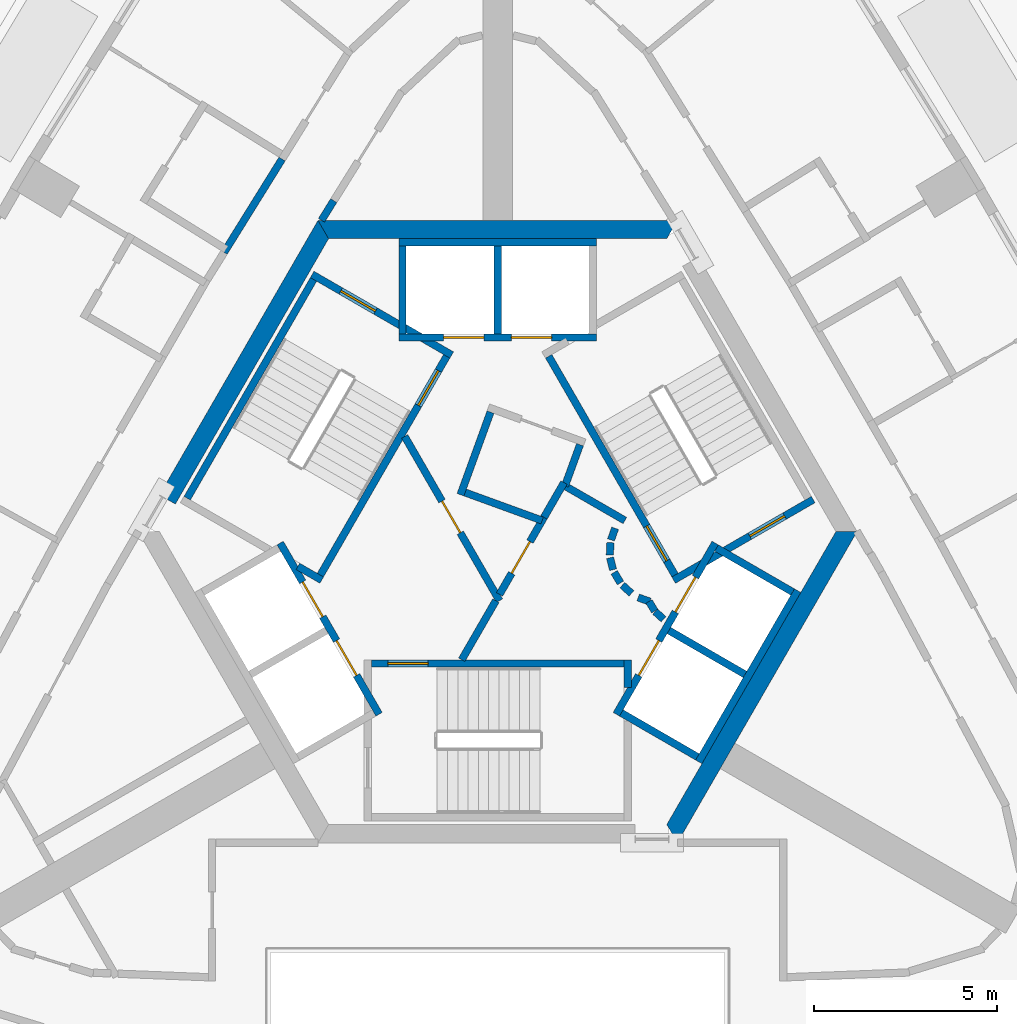
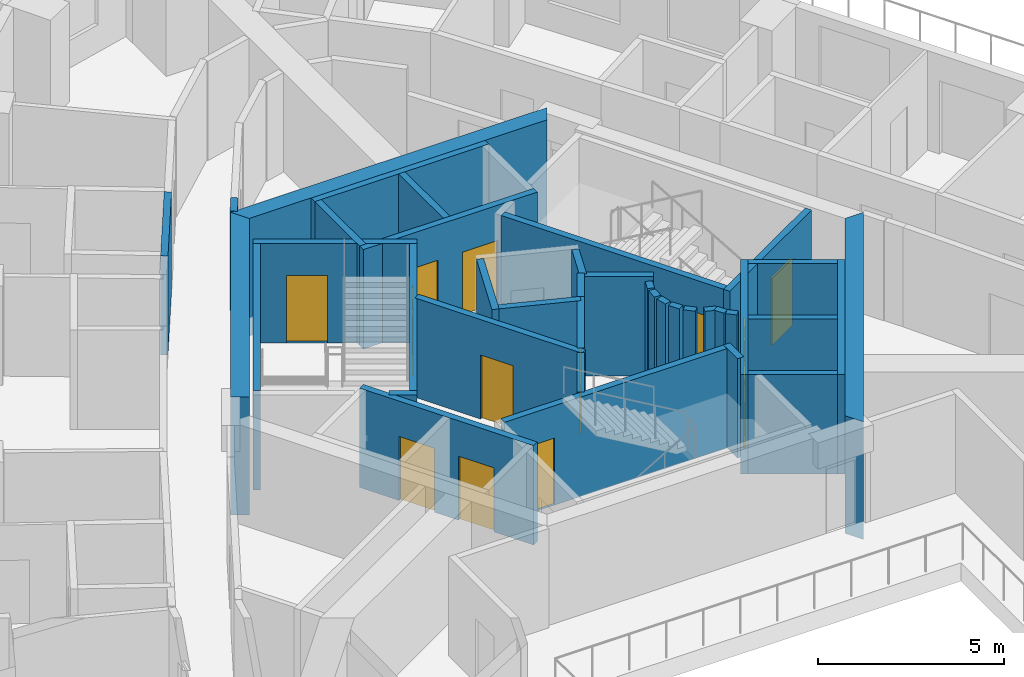
# One storey, part 5 of 12: 39 walls, 13 doors, 13 openings.
"""IFC4 building model written with IfcOpenShell, lengths in metres."""

from ifc_helpers import new_model, si_unit, direction, frame, frame_2d, origin, place, context, subcontext, project, spatial, polyline, rectangle, outline, extrude, material, layer, layer_set, type_object, element, fill, save


model = new_model("IFC4")

# Units and contexts
model_context = context("Model", 3, precision=1e-05, world=origin(), true_north=direction((0.0, 1.0)))
body_context = subcontext(model_context, "Body", "Model", "MODEL_VIEW")
ifc_project = project(units=[si_unit("LENGTHUNIT", "METRE"), si_unit("AREAUNIT", "SQUARE_METRE"), si_unit("VOLUMEUNIT", "CUBIC_METRE"), si_unit("PLANEANGLEUNIT", "RADIAN"), si_unit("MASSUNIT", "GRAM", prefix="KILO")], contexts=[model_context])

# Site, building, storey
site_placement = place(None, origin())
site = spatial("IfcSite", under=ifc_project, at=site_placement, CompositionType="ELEMENT")
building_placement = place(site_placement, origin())
building = spatial("IfcBuilding", under=site, at=building_placement, Name="Entoto Arch Interchange Tower", CompositionType="ELEMENT")
storey_placement = place(building_placement, frame((0.0, 0.0, 286.39990234375)))
storey = spatial("IfcBuildingStorey", under=building, at=storey_placement, Name="L66", CompositionType="ELEMENT", Elevation=286.39990234375)

# Walls
ifc_material_1 = material(Name="Concrete C40/50", Category="concrete")
ifc_layer_1 = layer(ifc_material_1, 0.5)
ifc_layer_set_1 = layer_set([ifc_layer_1], Name="Concrete C40/50")
wall_type_1 = type_object("IfcWallType", Name="Core wall 500 C40/50", PredefinedType="SHEAR", material=ifc_layer_set_1)
wall_1_placement = place(storey_placement, frame((0.0, 0.0, -0.599853515625)))
element("IfcWall", 1, at=wall_1_placement, inside=storey, type_object=wall_type_1, Name="Core wall N L66", PredefinedType="SHEAR", context=body_context, shape_type="SweptSolid", body=[
    extrude(outline(polyline([(4.906982421875, 11.0), (-4.906982421875, 11.0), (-4.618896484375, 10.5), (4.618896484375, 10.5), (4.906982421875, 11.0)])), origin(), (0.0, 0.0, 1.0), 3.85986328125),
])
wall_2_placement = place(storey_placement, frame((0.0, 0.0, -0.599853515625)))
element("IfcWall", 2, at=wall_2_placement, inside=storey, type_object=wall_type_1, Name="Core wall NW L66", PredefinedType="SHEAR", context=body_context, shape_type="SweptSolid", body=[
    extrude(outline(polyline([(-9.236083984375, 3.501953125), (-8.802978515625, 3.2529296875), (-4.618896484375, 10.5), (-4.906982421875, 11.0), (-9.236083984375, 3.501953125)])), origin(), (0.0, 0.0, 1.0), 3.85986328125),
])
wall_3_placement = place(storey_placement, frame((0.0, 0.0, -0.599853515625)))
element("IfcWall", 3, at=wall_3_placement, inside=storey, type_object=wall_type_1, Name="Core wall SE L66", PredefinedType="SHEAR", context=body_context, shape_type="SweptSolid", body=[
    extrude(outline(polyline([(4.906982421875, -6.0), (9.81494140625, 2.5), (9.238037109375, 2.5), (4.618896484375, -5.5), (4.906982421875, -6.0)])), origin(), (0.0, 0.0, 1.0), 3.85986328125),
])

# Wall, openings, doors
ifc_layer_2 = layer(ifc_material_1, 0.199951171875)
ifc_layer_set_2 = layer_set([ifc_layer_2], Name="Concrete C40/50")
wall_type_2 = type_object("IfcWallType", Name="LIFT SHAFT WALL 200", PredefinedType="STANDARD", material=ifc_layer_set_2)
wall_4_placement = place(storey_placement, frame((2.699951171875, 7.800048828125, 0.0), z_axis=(0.0, 0.0, 1.0), x_axis=(-1.0, 0.0, 0.0)))
wall_4 = element("IfcWall", 4, at=wall_4_placement, inside=storey, type_object=wall_type_2, Name="Shaft wall N1 front", PredefinedType="STANDARD", context=body_context, shape_type="SweptSolid", body=[
    extrude(rectangle(XDim=5.39990234375, YDim=0.199951171875, at=frame_2d((2.699951171875, 0.0))), origin(), (0.0, 0.0, 1.0), 3.260009765625),
])
opening_1_placement = place(wall_4_placement, frame((1.22509765625, 0.0, 0.0)))
opening_1 = element("IfcOpeningElement", 5, at=opening_1_placement, cuts=wall_4, Name="Opening LD-HR1-L66", PredefinedType="OPENING", context=body_context, shape_type="SweptSolid", body=[
    extrude(rectangle(XDim=1.10009765625, YDim=2.10009765625, at=frame_2d((0.550048828125, 1.050048828125))), frame((0.0, 0.10986328125, 0.0), z_axis=(0.0, -1.0, 0.0), x_axis=(1.0, 0.0, 0.0)), (0.0, 0.0, 1.0), 0.219970703125),
])
opening_2_placement = place(wall_4_placement, frame((3.074951171875, 0.0, 0.0)))
opening_2 = element("IfcOpeningElement", 6, at=opening_2_placement, cuts=wall_4, Name="Opening LD-HR2-L66", PredefinedType="OPENING", context=body_context, shape_type="SweptSolid", body=[
    extrude(rectangle(XDim=1.10009765625, YDim=2.10009765625, at=frame_2d((0.550048828125, 1.050048828125))), frame((0.0, 0.10986328125, 0.0), z_axis=(0.0, -1.0, 0.0), x_axis=(1.0, 0.0, 0.0)), (0.0, 0.0, 1.0), 0.219970703125),
])
ifc_material_2 = material(Name="Stainless steel 1.4301 panels", Category="steel")
door_type_1 = type_object("IfcDoorType", Name="LIFT LANDING DOOR LD1 1100x2100", OperationType="SLIDING_TO_LEFT", PredefinedType="DOOR", material=ifc_material_2)
door_1_placement = place(opening_1_placement, origin())
door_1 = element("IfcDoor", 7, at=door_1_placement, inside=storey, type_object=door_type_1, Name="Lift landing door HR1 L66", OperationType="SLIDING_TO_LEFT", OverallHeight=2.10009765625, OverallWidth=1.10009765625, PredefinedType="DOOR", context=body_context, shape_type="SweptSolid", body=[
    extrude(rectangle(XDim=1.10009765625, YDim=2.10009765625, at=frame_2d((0.550048828125, 1.050048828125))), frame((0.0, 0.02490234375, 0.0), z_axis=(0.0, -1.0, 0.0), x_axis=(1.0, 0.0, 0.0)), (0.0, 0.0, 1.0), 0.050048828125),
])
fill(opening_1, door_1)
door_2_placement = place(opening_2_placement, origin())
door_2 = element("IfcDoor", 8, at=door_2_placement, inside=storey, type_object=door_type_1, Name="Lift landing door HR2 L66", OperationType="SLIDING_TO_LEFT", OverallHeight=2.10009765625, OverallWidth=1.10009765625, PredefinedType="DOOR", context=body_context, shape_type="SweptSolid", body=[
    extrude(rectangle(XDim=1.10009765625, YDim=2.10009765625, at=frame_2d((0.550048828125, 1.050048828125))), frame((0.0, 0.02490234375, 0.0), z_axis=(0.0, -1.0, 0.0), x_axis=(1.0, 0.0, 0.0)), (0.0, 0.0, 1.0), 0.050048828125),
])
fill(opening_2, door_2)

# Walls
wall_5_placement = place(storey_placement, frame((2.699951171875, 10.39990234375, 0.0), z_axis=(0.0, 0.0, 1.0), x_axis=(-1.0, 0.0, 0.0)))
element("IfcWall", 9, at=wall_5_placement, inside=storey, type_object=wall_type_2, Name="Shaft wall N1 back", PredefinedType="STANDARD", context=body_context, shape_type="SweptSolid", body=[
    extrude(rectangle(XDim=5.39990234375, YDim=0.199951171875, at=frame_2d((2.699951171875, 0.0))), origin(), (0.0, 0.0, 1.0), 3.260009765625),
])
for number, where, z_axis, x_axis, name in (
    (10, (0.0, 7.89990234375, 0.0), (0.0, 0.0, 1.0), (0.0, 1.0, 0.0), "Shaft wall N1 cross 2"),
    (11, (-2.60009765625, 7.89990234375, 0.0), (0.0, 0.0, 1.0), (0.0, 1.0, 0.0), "Shaft wall N1 cross 3"),
):
    element("IfcWall", number, at=place(storey_placement, frame(where, z_axis=z_axis, x_axis=x_axis)), inside=storey, type_object=wall_type_2, Name=name, PredefinedType="STANDARD", context=body_context, shape_type="SweptSolid", body=[
        extrude(rectangle(XDim=2.400146484375, YDim=0.199951171875, at=frame_2d((1.2001953125, 0.0))), origin(), (0.0, 0.0, 1.0), 3.260009765625),
    ])

# Wall, openings, doors
wall_6_placement = place(storey_placement, frame((-5.93994140625, 2.18798828125, 0.0), z_axis=(0.0, 0.0, 1.0), x_axis=(0.500034260056, -0.866005622828, 0.0)))
wall_6 = element("IfcWall", 12, at=wall_6_placement, inside=storey, type_object=wall_type_2, Name="Shaft wall SW1 front", PredefinedType="STANDARD", context=body_context, shape_type="SweptSolid", body=[
    extrude(rectangle(XDim=5.3994140625, YDim=0.199951171875, at=frame_2d((2.69970703125, 0.0))), origin(), (0.0, 0.0, 1.0), 3.260009765625),
])
opening_3_placement = place(wall_6_placement, frame((3.074951171875, 0.0, 0.0)))
opening_3 = element("IfcOpeningElement", 13, at=opening_3_placement, cuts=wall_6, Name="Opening LD-HR4-L66", PredefinedType="OPENING", context=body_context, shape_type="SweptSolid", body=[
    extrude(rectangle(XDim=1.10009765625, YDim=2.10009765625, at=frame_2d((0.550048828125, 1.050048828125))), frame((0.0, 0.10986328125, 0.0), z_axis=(0.0, -1.0, 0.0), x_axis=(1.0, 0.0, 0.0)), (0.0, 0.0, 1.0), 0.219970703125),
])
opening_4_placement = place(wall_6_placement, frame((1.22509765625, 0.0, 0.0)))
opening_4 = element("IfcOpeningElement", 14, at=opening_4_placement, cuts=wall_6, Name="Opening LD-FF2-L66", PredefinedType="OPENING", context=body_context, shape_type="SweptSolid", body=[
    extrude(rectangle(XDim=1.10009765625, YDim=2.10009765625, at=frame_2d((0.550048828125, 1.050048828125))), frame((0.0, 0.10986328125, 0.0), z_axis=(0.0, -1.0, 0.0), x_axis=(1.0, 0.0, 0.0)), (0.0, 0.0, 1.0), 0.219970703125),
])
door_3_placement = place(opening_3_placement, origin())
door_3 = element("IfcDoor", 15, at=door_3_placement, inside=storey, type_object=door_type_1, Name="Lift landing door HR4 L66", OperationType="SLIDING_TO_LEFT", OverallHeight=2.10009765625, OverallWidth=1.10009765625, PredefinedType="DOOR", context=body_context, shape_type="SweptSolid", body=[
    extrude(rectangle(XDim=1.10009765625, YDim=2.10009765625, at=frame_2d((0.550048828125, 1.050048828125))), frame((0.0, 0.02490234375, 0.0), z_axis=(0.0, -1.0, 0.0), x_axis=(1.0, 0.0, 0.0)), (0.0, 0.0, 1.0), 0.050048828125),
])
fill(opening_3, door_3)
door_4_placement = place(opening_4_placement, origin())
door_4 = element("IfcDoor", 16, at=door_4_placement, inside=storey, type_object=door_type_1, Name="Lift landing door FF2 L66", OperationType="SLIDING_TO_LEFT", OverallHeight=2.10009765625, OverallWidth=1.10009765625, PredefinedType="DOOR", context=body_context, shape_type="SweptSolid", body=[
    extrude(rectangle(XDim=1.10009765625, YDim=2.10009765625, at=frame_2d((0.550048828125, 1.050048828125))), frame((0.0, 0.02490234375, 0.0), z_axis=(0.0, -1.0, 0.0), x_axis=(1.0, 0.0, 0.0)), (0.0, 0.0, 1.0), 0.050048828125),
])
fill(opening_4, door_4)

wall_7_placement = place(storey_placement, frame((3.239990234375, -2.488037109375, 0.0), z_axis=(0.0, 0.0, 1.0), x_axis=(0.500034260056, 0.866005622828, 0.0)))
wall_7 = element("IfcWall", 17, at=wall_7_placement, inside=storey, type_object=wall_type_2, Name="Shaft wall SE1 front", PredefinedType="STANDARD", context=body_context, shape_type="SweptSolid", body=[
    extrude(rectangle(XDim=5.3994140625, YDim=0.199951171875, at=frame_2d((2.69970703125, 0.0))), origin(), (0.0, 0.0, 1.0), 3.260009765625),
])
opening_5_placement = place(wall_7_placement, frame((3.22509765625, 0.0, 0.0)))
opening_5 = element("IfcOpeningElement", 18, at=opening_5_placement, cuts=wall_7, Name="Opening LD-HR3-L66", PredefinedType="OPENING", context=body_context, shape_type="SweptSolid", body=[
    extrude(rectangle(XDim=1.10009765625, YDim=2.10009765625, at=frame_2d((0.550048828125, 1.050048828125))), frame((0.0, 0.10986328125, 0.0), z_axis=(0.0, -1.0, 0.0), x_axis=(1.0, 0.0, 0.0)), (0.0, 0.0, 1.0), 0.219970703125),
])
opening_6_placement = place(wall_7_placement, frame((1.22509765625, 0.0, 0.0)))
opening_6 = element("IfcOpeningElement", 19, at=opening_6_placement, cuts=wall_7, Name="Opening LD-FF1-L66", PredefinedType="OPENING", context=body_context, shape_type="SweptSolid", body=[
    extrude(rectangle(XDim=1.10009765625, YDim=2.10009765625, at=frame_2d((0.550048828125, 1.050048828125))), frame((0.0, 0.10986328125, 0.0), z_axis=(0.0, -1.0, 0.0), x_axis=(1.0, 0.0, 0.0)), (0.0, 0.0, 1.0), 0.219970703125),
])
door_5_placement = place(opening_5_placement, origin())
door_5 = element("IfcDoor", 20, at=door_5_placement, inside=storey, type_object=door_type_1, Name="Lift landing door HR3 L66", OperationType="SLIDING_TO_LEFT", OverallHeight=2.10009765625, OverallWidth=1.10009765625, PredefinedType="DOOR", context=body_context, shape_type="SweptSolid", body=[
    extrude(rectangle(XDim=1.10009765625, YDim=2.10009765625, at=frame_2d((0.550048828125, 1.050048828125))), frame((0.0, 0.02490234375, 0.0), z_axis=(0.0, -1.0, 0.0), x_axis=(1.0, 0.0, 0.0)), (0.0, 0.0, 1.0), 0.050048828125),
])
fill(opening_5, door_5)
door_6_placement = place(opening_6_placement, origin())
door_6 = element("IfcDoor", 21, at=door_6_placement, inside=storey, type_object=door_type_1, Name="Lift landing door FF1 L66", OperationType="SLIDING_TO_LEFT", OverallHeight=2.10009765625, OverallWidth=1.10009765625, PredefinedType="DOOR", context=body_context, shape_type="SweptSolid", body=[
    extrude(rectangle(XDim=1.10009765625, YDim=2.10009765625, at=frame_2d((0.550048828125, 1.050048828125))), frame((0.0, 0.02490234375, 0.0), z_axis=(0.0, -1.0, 0.0), x_axis=(1.0, 0.0, 0.0)), (0.0, 0.0, 1.0), 0.050048828125),
])
fill(opening_6, door_6)

# Walls
wall_8_placement = place(storey_placement, frame((5.491943359375, -3.7880859375, 0.0), z_axis=(0.0, 0.0, 1.0), x_axis=(0.500034260056, 0.866005622828, 0.0)))
element("IfcWall", 22, at=wall_8_placement, inside=storey, type_object=wall_type_2, Name="Shaft wall SE1 back", PredefinedType="STANDARD", context=body_context, shape_type="SweptSolid", body=[
    extrude(rectangle(XDim=5.3994140625, YDim=0.199951171875, at=frame_2d((2.69970703125, 0.0))), origin(), (0.0, 0.0, 1.0), 3.260009765625),
])
wall_9_placement = place(storey_placement, frame((3.376953125, -2.451904296875, 0.0), z_axis=(0.0, 0.0, 1.0), x_axis=(0.865955154139, -0.50012165622, 0.0)))
element("IfcWall", 23, at=wall_9_placement, inside=storey, type_object=wall_type_2, Name="Shaft wall SE1 cross 1", PredefinedType="STANDARD", context=body_context, shape_type="SweptSolid", body=[
    extrude(rectangle(XDim=2.39990234375, YDim=0.199951171875, at=frame_2d((1.199951171875, 0.0))), origin(), (0.0, 0.0, 1.0), 3.260009765625),
])
for number, where, z_axis, x_axis, name in (
    (24, (4.677001953125, -0.199951171875, 0.0), (0.0, 0.0, 1.0), (0.865973769406, -0.500089422704, 0.0), "Shaft wall SE1 cross 2"),
    (25, (5.97705078125, 2.052001953125, 0.0), (0.0, 0.0, 1.0), (0.865973769406, -0.500089422704, 0.0), "Shaft wall SE1 cross 3"),
):
    element("IfcWall", number, at=place(storey_placement, frame(where, z_axis=z_axis, x_axis=x_axis)), inside=storey, type_object=wall_type_2, Name=name, PredefinedType="STANDARD", context=body_context, shape_type="SweptSolid", body=[
        extrude(rectangle(XDim=2.3994140625, YDim=0.199951171875, at=frame_2d((1.19970703125, 0.0))), origin(), (0.0, 0.0, 1.0), 3.260009765625),
    ])
ifc_material_3 = material(Name="Gypsum board partition on steel studs", Category="steel")
ifc_layer_3 = layer(ifc_material_3, 0.199951171875)
ifc_layer_set_3 = layer_set([ifc_layer_3], Name="Gypsum board partition on steel studs")
wall_type_3 = type_object("IfcWallType", Name="PARTITION 200", PredefinedType="PARTITIONING", material=ifc_layer_set_3)
wall_10_placement = place(storey_placement, frame((1.263916015625, 2.889892578125, 0.0), z_axis=(0.0, 0.0, 1.0), x_axis=(0.500043792738, 0.866000118559, 0.0)))
element("IfcWall", 26, at=wall_10_placement, inside=storey, type_object=wall_type_3, Name="wall:L66:p001", PredefinedType="PARTITIONING", context=body_context, shape_type="SweptSolid", body=[
    extrude(rectangle(XDim=1.09619140625, YDim=0.199951171875, at=frame_2d((0.548095703125, 0.0))), origin(), (0.0, 0.0, 1.0), 3.260009765625),
])
wall_11_placement = place(storey_placement, frame((1.837890625, 3.748046875, 0.0), z_axis=(0.0, 0.0, 1.0), x_axis=(0.342266462435, 0.939602931398, 0.0)))
element("IfcWall", 27, at=wall_11_placement, inside=storey, type_object=wall_type_3, Name="wall:L66:p002", PredefinedType="PARTITIONING", context=body_context, shape_type="SweptSolid", body=[
    extrude(rectangle(XDim=1.1982421875, YDim=0.199951171875, at=frame_2d((0.59912109375, 0.0))), origin(), (0.0, 0.0, 1.0), 3.260009765625),
])
wall_12_placement = place(storey_placement, frame((-0.196044921875, 5.763916015625, 0.0), z_axis=(0.0, 0.0, 1.0), x_axis=(-0.34165322761, -0.939826086073, 0.0)))
element("IfcWall", 28, at=wall_12_placement, inside=storey, type_object=wall_type_3, Name="wall:L66:p004", PredefinedType="PARTITIONING", context=body_context, shape_type="SweptSolid", body=[
    extrude(rectangle(XDim=2.400390625, YDim=0.199951171875, at=frame_2d((1.2001953125, 0.0))), origin(), (0.0, 0.0, 1.0), 3.260009765625),
])
wall_13_placement = place(storey_placement, frame((-0.887939453125, 3.568115234375, 0.0), z_axis=(0.0, 0.0, 1.0), x_axis=(0.939685034098, -0.34204098686, 0.0)))
element("IfcWall", 29, at=wall_13_placement, inside=storey, type_object=wall_type_3, Name="wall:L66:p005", PredefinedType="PARTITIONING", context=body_context, shape_type="SweptSolid", body=[
    extrude(rectangle(XDim=2.237060546875, YDim=0.199951171875, at=frame_2d((1.11865234375, 0.0))), origin(), (0.0, 0.0, 1.0), 3.260009765625),
])
wall_14_placement = place(storey_placement, frame((-4.47802734375, 11.5400390625, 0.0), z_axis=(0.0, 0.0, 1.0), x_axis=(-0.527362861778, -0.849640166198, 0.0)))
element("IfcWall", 30, at=wall_14_placement, inside=storey, type_object=wall_type_3, Name="wall:L66:p012", PredefinedType="PARTITIONING", context=body_context, shape_type="SweptSolid", body=[
    extrude(rectangle(XDim=0.63330078125, YDim=0.199951171875, at=frame_2d((0.316650390625, 0.0))), origin(), (0.0, 0.0, 1.0), 3.260009765625),
])
wall_15_placement = place(storey_placement, frame((-7.471923828125, 10.126953125, 0.0), z_axis=(0.0, 0.0, 1.0), x_axis=(0.527707224705, 0.849426326996, 0.0)))
element("IfcWall", 31, at=wall_15_placement, inside=storey, type_object=wall_type_3, Name="wall:L66:p048", PredefinedType="PARTITIONING", context=body_context, shape_type="SweptSolid", body=[
    extrude(rectangle(XDim=2.999755859375, YDim=0.199951171875, at=frame_2d((1.5, 0.0))), origin(), (0.0, 0.0, 1.0), 3.260009765625),
])
wall_16_placement = place(storey_placement, frame((-0.98193359375, -1.0, 0.0), z_axis=(0.0, 0.0, 1.0), x_axis=(0.50024047865, 0.865886518847, 0.0)))
element("IfcWall", 32, at=wall_16_placement, inside=storey, type_object=wall_type_3, Name="wall:L66:p061", PredefinedType="PARTITIONING", context=body_context, shape_type="SweptSolid", body=[
    extrude(rectangle(XDim=1.86279296875, YDim=0.199951171875, at=frame_2d((0.931396484375, 0.0))), origin(), (0.0, 0.0, 1.0), 3.260009765625),
])

# Wall, opening, door
wall_17_placement = place(storey_placement, frame((0.050048828125, 0.787109375, 0.0), z_axis=(0.0, 0.0, 1.0), x_axis=(0.499945861543, 0.866056658381, 0.0)))
wall_17 = element("IfcWall", 33, at=wall_17_placement, inside=storey, type_object=wall_type_3, Name="wall:L66:p062", PredefinedType="PARTITIONING", context=body_context, shape_type="SweptSolid", body=[
    extrude(rectangle(XDim=2.427978515625, YDim=0.199951171875, at=frame_2d((1.2138671875, 0.0))), origin(), (0.0, 0.0, 1.0), 3.260009765625),
])
opening_7_placement = place(wall_17_placement, frame((0.6640625, 0.0, 0.0)))
opening_7 = element("IfcOpeningElement", 34, at=opening_7_placement, cuts=wall_17, Name="Opening L66-D34", PredefinedType="OPENING", context=body_context, shape_type="SweptSolid", body=[
    extrude(rectangle(XDim=1.0, YDim=2.10009765625, at=frame_2d((0.5, 1.050048828125))), frame((0.0, 0.10986328125, 0.0), z_axis=(0.0, -1.0, 0.0), x_axis=(1.0, 0.0, 0.0)), (0.0, 0.0, 1.0), 0.219970703125),
])
ifc_material_4 = material(Name="Fire-rated Steel S235 door and frame", Category="steel")
door_type_2 = type_object("IfcDoorType", Name="DOOR FD-10 1000x2100", OperationType="SINGLE_SWING_LEFT", PredefinedType="DOOR", material=ifc_material_4)
door_7_placement = place(opening_7_placement, origin())
door_7 = element("IfcDoor", 35, at=door_7_placement, inside=storey, type_object=door_type_2, Name="door:L66:34", OperationType="SINGLE_SWING_RIGHT", OverallHeight=2.10009765625, OverallWidth=1.0, PredefinedType="DOOR", context=body_context, shape_type="SweptSolid", body=[
    extrude(rectangle(XDim=1.0, YDim=2.10009765625, at=frame_2d((0.5, 1.050048828125))), frame((0.0, 0.02490234375, 0.0), z_axis=(0.0, -1.0, 0.0), x_axis=(1.0, 0.0, 0.0)), (0.0, 0.0, 1.0), 0.050048828125),
])
fill(opening_7, door_7)

# Walls
wall_18_placement = place(storey_placement, frame((1.7509765625, 3.798095703125, 0.0), z_axis=(0.0, 0.0, 1.0), x_axis=(0.866091650241, -0.499885240213, 0.0)))
element("IfcWall", 36, at=wall_18_placement, inside=storey, type_object=wall_type_3, Name="wall:L66:p063", PredefinedType="PARTITIONING", context=body_context, shape_type="SweptSolid", body=[
    extrude(rectangle(XDim=1.99072265625, YDim=0.199951171875, at=frame_2d((0.995361328125, 0.0))), origin(), (0.0, 0.0, 1.0), 3.260009765625),
])
wall_19_placement = place(storey_placement, frame((3.2080078125, 2.592041015625, 0.0), z_axis=(0.0, 0.0, 1.0), x_axis=(-0.337388820924, -0.941365382578, 0.0)))
element("IfcWall", 37, at=wall_19_placement, inside=storey, type_object=wall_type_3, Name="wall:L66:p064", PredefinedType="PARTITIONING", context=body_context, shape_type="SweptSolid", body=[
    extrude(rectangle(XDim=0.337890625, YDim=0.199951171875, at=frame_2d((0.1689453125, 0.0))), origin(), (0.0, 0.0, 1.0), 3.260009765625),
])
wall_20_placement = place(storey_placement, frame((3.0791015625, 2.198974609375, 0.0), z_axis=(0.0, 0.0, 1.0), x_axis=(-0.047771483479, -0.998858290933, 0.0)))
element("IfcWall", 38, at=wall_20_placement, inside=storey, type_object=wall_type_3, Name="wall:L66:p065", PredefinedType="PARTITIONING", context=body_context, shape_type="SweptSolid", body=[
    extrude(rectangle(XDim=0.33740234375, YDim=0.199951171875, at=frame_2d((0.168701171875, 0.0))), origin(), (0.0, 0.0, 1.0), 3.260009765625),
])
wall_21_placement = place(storey_placement, frame((3.070068359375, 1.785888671875, 0.0), z_axis=(0.0, 0.0, 1.0), x_axis=(0.242705583207, -0.970099994784, 0.0)))
element("IfcWall", 39, at=wall_21_placement, inside=storey, type_object=wall_type_3, Name="wall:L66:p066", PredefinedType="PARTITIONING", context=body_context, shape_type="SweptSolid", body=[
    extrude(rectangle(XDim=0.337890625, YDim=0.199951171875, at=frame_2d((0.1689453125, 0.0))), origin(), (0.0, 0.0, 1.0), 3.260009765625),
])
for number, where, z_axis, x_axis, name in (
    (40, (3.181884765625, 1.387939453125, 0.0), (0.0, 0.0, 1.0), (0.512474702713, -0.85870232274, 0.0), "wall:L66:p067"),
    (41, (3.404052734375, 1.0390625, 0.0), (0.0, 0.0, 1.0), (0.740267097712, -0.672312891476, 0.0), "wall:L66:p068"),
):
    element("IfcWall", number, at=place(storey_placement, frame(where, z_axis=z_axis, x_axis=x_axis)), inside=storey, type_object=wall_type_3, Name=name, PredefinedType="PARTITIONING", context=body_context, shape_type="SweptSolid", body=[
        extrude(rectangle(XDim=0.337646484375, YDim=0.199951171875, at=frame_2d((0.1689453125, 0.0))), origin(), (0.0, 0.0, 1.0), 3.260009765625),
    ])
wall_22_placement = place(storey_placement, frame((3.837890625, 0.701904296875, 0.0), z_axis=(0.0, 0.0, 1.0), x_axis=(0.941035081519, -0.338308993895, 0.0)))
element("IfcWall", 42, at=wall_22_placement, inside=storey, type_object=wall_type_3, Name="wall:L66:p069", PredefinedType="PARTITIONING", context=body_context, shape_type="SweptSolid", body=[
    extrude(rectangle(XDim=0.3369140625, YDim=0.199951171875, at=frame_2d((0.16845703125, 0.0))), origin(), (0.0, 0.0, 1.0), 3.260009765625),
])
wall_23_placement = place(storey_placement, frame((4.132080078125, 0.593017578125, 0.0), z_axis=(0.0, 0.0, 1.0), x_axis=(0.513561617048, -0.858052717201, 0.0)))
element("IfcWall", 43, at=wall_23_placement, inside=storey, type_object=wall_type_3, Name="wall:L66:p070", PredefinedType="PARTITIONING", context=body_context, shape_type="SweptSolid", body=[
    extrude(rectangle(XDim=0.3076171875, YDim=0.199951171875, at=frame_2d((0.15380859375, 0.0))), origin(), (0.0, 0.0, 1.0), 3.260009765625),
])
wall_24_placement = place(storey_placement, frame((4.301025390625, 0.31494140625, 0.0), z_axis=(0.0, 0.0, 1.0), x_axis=(0.741798017506, -0.670623367639, 0.0)))
element("IfcWall", 44, at=wall_24_placement, inside=storey, type_object=wall_type_3, Name="wall:L66:p071", PredefinedType="PARTITIONING", context=body_context, shape_type="SweptSolid", body=[
    extrude(rectangle(XDim=0.30859375, YDim=0.199951171875, at=frame_2d((0.154296875, 0.0))), origin(), (0.0, 0.0, 1.0), 3.260009765625),
])

# Wall, opening, door
wall_25_placement = place(storey_placement, frame((-2.5400390625, 5.10009765625, 0.0), z_axis=(0.0, 0.0, 1.0), x_axis=(0.499925051871, -0.866068670783, 0.0)))
wall_25 = element("IfcWall", 45, at=wall_25_placement, inside=storey, type_object=wall_type_3, Name="wall:L66:p072", PredefinedType="PARTITIONING", context=body_context, shape_type="SweptSolid", body=[
    extrude(rectangle(XDim=5.180908203125, YDim=0.199951171875, at=frame_2d((2.59033203125, 0.0))), origin(), (0.0, 0.0, 1.0), 3.260009765625),
])
opening_8_placement = place(wall_25_placement, frame((2.0400390625, 0.0, 0.0)))
opening_8 = element("IfcOpeningElement", 46, at=opening_8_placement, cuts=wall_25, Name="Opening L66-D35", PredefinedType="OPENING", context=body_context, shape_type="SweptSolid", body=[
    extrude(rectangle(XDim=1.0, YDim=2.10009765625, at=frame_2d((0.5, 1.050048828125))), frame((0.0, 0.10986328125, 0.0), z_axis=(0.0, -1.0, 0.0), x_axis=(1.0, 0.0, 0.0)), (0.0, 0.0, 1.0), 0.219970703125),
])
door_8_placement = place(opening_8_placement, origin())
door_8 = element("IfcDoor", 47, at=door_8_placement, inside=storey, type_object=door_type_2, Name="door:L66:35", OperationType="SINGLE_SWING_RIGHT", OverallHeight=2.10009765625, OverallWidth=1.0, PredefinedType="DOOR", context=body_context, shape_type="SweptSolid", body=[
    extrude(rectangle(XDim=1.0, YDim=2.10009765625, at=frame_2d((0.5, 1.050048828125))), frame((0.0, 0.02490234375, 0.0), z_axis=(0.0, -1.0, 0.0), x_axis=(1.0, 0.0, 0.0)), (0.0, 0.0, 1.0), 0.050048828125),
])
fill(opening_8, door_8)

# Wall
ifc_layer_4 = layer(ifc_material_1, 0.199951171875)
ifc_layer_set_4 = layer_set([ifc_layer_4], Name="Concrete C40/50")
wall_type_4 = type_object("IfcWallType", Name="STAIR ENCLOSURE WALL 200", PredefinedType="STANDARD", material=ifc_layer_set_4)
wall_26_placement = place(storey_placement, frame((3.550048828125, -1.0, 0.0), z_axis=(0.0, 0.0, 1.0), x_axis=(0.0, -1.0, 0.0)))
element("IfcWall", 48, at=wall_26_placement, inside=storey, type_object=wall_type_4, Name="Stair wall ST-S far return", PredefinedType="STANDARD", context=body_context, shape_type="SweptSolid", body=[
    extrude(rectangle(XDim=0.7509765625, YDim=0.199951171875, at=frame_2d((0.37548828125, 0.0))), origin(), (0.0, 0.0, 1.0), 3.260009765625),
])

# Wall, opening, door
wall_27_placement = place(storey_placement, frame((-3.449951171875, -1.10009765625, 0.0), z_axis=(0.0, 0.0, 1.0), x_axis=(1.0, 0.0, 0.0)))
wall_27 = element("IfcWall", 49, at=wall_27_placement, inside=storey, type_object=wall_type_4, Name="Stair wall ST-S hall", PredefinedType="STANDARD", context=body_context, shape_type="SweptSolid", body=[
    extrude(rectangle(XDim=6.89990234375, YDim=0.199951171875, at=frame_2d((3.449951171875, 0.0))), origin(), (0.0, 0.0, 1.0), 3.260009765625),
])
opening_9_placement = place(wall_27_placement, frame((0.449951171875, 0.0, 0.0)))
opening_9 = element("IfcOpeningElement", 50, at=opening_9_placement, cuts=wall_27, Name="Opening SD-ST-S-L66", PredefinedType="OPENING", context=body_context, shape_type="SweptSolid", body=[
    extrude(rectangle(XDim=1.10009765625, YDim=2.199951171875, at=frame_2d((0.550048828125, 1.10009765625))), frame((0.0, 0.10986328125, 0.0), z_axis=(0.0, -1.0, 0.0), x_axis=(1.0, 0.0, 0.0)), (0.0, 0.0, 1.0), 0.219970703125),
])
ifc_material_5 = material(Name="Steel S235", Category="steel")
door_type_3 = type_object("IfcDoorType", Name="STAIR DOOR SD1 1100x2200", OperationType="SINGLE_SWING_LEFT", PredefinedType="DOOR", material=ifc_material_5)
door_9_placement = place(opening_9_placement, origin())
door_9 = element("IfcDoor", 51, at=door_9_placement, inside=storey, type_object=door_type_3, Name="Stair door ST-S L66", OperationType="SINGLE_SWING_LEFT", OverallHeight=2.199951171875, OverallWidth=1.10009765625, PredefinedType="DOOR", context=body_context, shape_type="SweptSolid", body=[
    extrude(rectangle(XDim=1.10009765625, YDim=2.199951171875, at=frame_2d((0.550048828125, 1.10009765625))), frame((0.0, 0.02490234375, 0.0), z_axis=(0.0, -1.0, 0.0), x_axis=(1.0, 0.0, 0.0)), (0.0, 0.0, 1.0), 0.050048828125),
])
fill(opening_9, door_9)

wall_28_placement = place(storey_placement, frame((4.805908203125, 1.176025390625, 0.0), z_axis=(0.0, 0.0, 1.0), x_axis=(0.866059941101, 0.499940174841, 0.0)))
wall_28 = element("IfcWall", 52, at=wall_28_placement, inside=storey, type_object=wall_type_4, Name="Stair wall ST-NE near", PredefinedType="STANDARD", context=body_context, shape_type="SweptSolid", body=[
    extrude(rectangle(XDim=4.400390625, YDim=0.199951171875, at=frame_2d((2.2001953125, 0.0))), origin(), (0.0, 0.0, 1.0), 3.260009765625),
])
opening_10_placement = place(wall_28_placement, frame((2.39990234375, 0.0, 0.0)))
opening_10 = element("IfcOpeningElement", 53, at=opening_10_placement, cuts=wall_28, Name="Opening SD-ST-NE-L66-E", PredefinedType="OPENING", context=body_context, shape_type="SweptSolid", body=[
    extrude(rectangle(XDim=1.10009765625, YDim=2.199951171875, at=frame_2d((0.550048828125, 1.10009765625))), frame((0.0, 0.10986328125, 0.0), z_axis=(0.0, -1.0, 0.0), x_axis=(1.0, 0.0, 0.0)), (0.0, 0.0, 1.0), 0.219970703125),
])
door_10_placement = place(opening_10_placement, origin())
door_10 = element("IfcDoor", 54, at=door_10_placement, inside=storey, type_object=door_type_3, Name="Stair door ST-NE L66 end", OperationType="SINGLE_SWING_LEFT", OverallHeight=2.199951171875, OverallWidth=1.10009765625, PredefinedType="DOOR", context=body_context, shape_type="SweptSolid", body=[
    extrude(rectangle(XDim=1.10009765625, YDim=2.199951171875, at=frame_2d((0.550048828125, 1.10009765625))), frame((0.0, 0.02490234375, 0.0), z_axis=(0.0, -1.0, 0.0), x_axis=(1.0, 0.0, 0.0)), (0.0, 0.0, 1.0), 0.050048828125),
])
fill(opening_10, door_10)

wall_29_placement = place(storey_placement, frame((4.843017578125, 1.31201171875, 0.0), z_axis=(0.0, 0.0, 1.0), x_axis=(-0.499963383562, 0.866046543262, 0.0)))
wall_29 = element("IfcWall", 55, at=wall_29_placement, inside=storey, type_object=wall_type_4, Name="Stair wall ST-NE hall", PredefinedType="STANDARD", context=body_context, shape_type="SweptSolid", body=[
    extrude(rectangle(XDim=6.900390625, YDim=0.199951171875, at=frame_2d((3.4501953125, 0.0))), origin(), (0.0, 0.0, 1.0), 3.260009765625),
])
opening_11_placement = place(wall_29_placement, frame((0.449951171875, 0.0, 0.0)))
opening_11 = element("IfcOpeningElement", 56, at=opening_11_placement, cuts=wall_29, Name="Opening SD-ST-NE-L66", PredefinedType="OPENING", context=body_context, shape_type="SweptSolid", body=[
    extrude(rectangle(XDim=1.10009765625, YDim=2.199951171875, at=frame_2d((0.550048828125, 1.10009765625))), frame((0.0, 0.10986328125, 0.0), z_axis=(0.0, -1.0, 0.0), x_axis=(1.0, 0.0, 0.0)), (0.0, 0.0, 1.0), 0.219970703125),
])
door_11_placement = place(opening_11_placement, origin())
door_11 = element("IfcDoor", 57, at=door_11_placement, inside=storey, type_object=door_type_3, Name="Stair door ST-NE L66", OperationType="SINGLE_SWING_LEFT", OverallHeight=2.199951171875, OverallWidth=1.10009765625, PredefinedType="DOOR", context=body_context, shape_type="SweptSolid", body=[
    extrude(rectangle(XDim=1.10009765625, YDim=2.199951171875, at=frame_2d((0.550048828125, 1.10009765625))), frame((0.0, 0.02490234375, 0.0), z_axis=(0.0, -1.0, 0.0), x_axis=(1.0, 0.0, 0.0)), (0.0, 0.0, 1.0), 0.050048828125),
])
fill(opening_11, door_11)

wall_30_placement = place(storey_placement, frame((-1.256103515625, 7.323974609375, 0.0), z_axis=(0.0, 0.0, 1.0), x_axis=(-0.866046073146, 0.499964197906, 0.0)))
wall_30 = element("IfcWall", 58, at=wall_30_placement, inside=storey, type_object=wall_type_4, Name="Stair wall ST-NW near", PredefinedType="STANDARD", context=body_context, shape_type="SweptSolid", body=[
    extrude(rectangle(XDim=4.400146484375, YDim=0.199951171875, at=frame_2d((2.2001953125, 0.0))), origin(), (0.0, 0.0, 1.0), 3.260009765625),
])
opening_12_placement = place(wall_30_placement, frame((2.39990234375, 0.0, 0.0)))
opening_12 = element("IfcOpeningElement", 59, at=opening_12_placement, cuts=wall_30, Name="Opening SD-ST-NW-L66-E", PredefinedType="OPENING", context=body_context, shape_type="SweptSolid", body=[
    extrude(rectangle(XDim=1.10009765625, YDim=2.199951171875, at=frame_2d((0.550048828125, 1.10009765625))), frame((0.0, 0.10986328125, 0.0), z_axis=(0.0, -1.0, 0.0), x_axis=(1.0, 0.0, 0.0)), (0.0, 0.0, 1.0), 0.219970703125),
])
door_12_placement = place(opening_12_placement, origin())
door_12 = element("IfcDoor", 60, at=door_12_placement, inside=storey, type_object=door_type_3, Name="Stair door ST-NW L66 end", OperationType="SINGLE_SWING_LEFT", OverallHeight=2.199951171875, OverallWidth=1.10009765625, PredefinedType="DOOR", context=body_context, shape_type="SweptSolid", body=[
    extrude(rectangle(XDim=1.10009765625, YDim=2.199951171875, at=frame_2d((0.550048828125, 1.10009765625))), frame((0.0, 0.02490234375, 0.0), z_axis=(0.0, -1.0, 0.0), x_axis=(1.0, 0.0, 0.0)), (0.0, 0.0, 1.0), 0.050048828125),
])
fill(opening_12, door_12)

# Wall
wall_31_placement = place(storey_placement, frame((-4.805908203125, 1.176025390625, 0.0), z_axis=(0.0, 0.0, 1.0), x_axis=(-0.866558586415, 0.499075361355, 0.0)))
element("IfcWall", 61, at=wall_31_placement, inside=storey, type_object=wall_type_4, Name="Stair wall ST-NW far return", PredefinedType="STANDARD", context=body_context, shape_type="SweptSolid", body=[
    extrude(rectangle(XDim=0.75146484375, YDim=0.199951171875, at=frame_2d((0.375732421875, 0.0))), origin(), (0.0, 0.0, 1.0), 3.260009765625),
])

# Wall, opening, door
wall_32_placement = place(storey_placement, frame((-1.39306640625, 7.2880859375, 0.0), z_axis=(0.0, 0.0, 1.0), x_axis=(-0.499963383562, -0.866046543262, 0.0)))
wall_32 = element("IfcWall", 62, at=wall_32_placement, inside=storey, type_object=wall_type_4, Name="Stair wall ST-NW hall", PredefinedType="STANDARD", context=body_context, shape_type="SweptSolid", body=[
    extrude(rectangle(XDim=6.900390625, YDim=0.199951171875, at=frame_2d((3.4501953125, 0.0))), origin(), (0.0, 0.0, 1.0), 3.260009765625),
])
opening_13_placement = place(wall_32_placement, frame((0.449951171875, 0.0, 0.0)))
opening_13 = element("IfcOpeningElement", 63, at=opening_13_placement, cuts=wall_32, Name="Opening SD-ST-NW-L66", PredefinedType="OPENING", context=body_context, shape_type="SweptSolid", body=[
    extrude(rectangle(XDim=1.10009765625, YDim=2.199951171875, at=frame_2d((0.550048828125, 1.10009765625))), frame((0.0, 0.10986328125, 0.0), z_axis=(0.0, -1.0, 0.0), x_axis=(1.0, 0.0, 0.0)), (0.0, 0.0, 1.0), 0.219970703125),
])
door_13_placement = place(opening_13_placement, origin())
door_13 = element("IfcDoor", 64, at=door_13_placement, inside=storey, type_object=door_type_3, Name="Stair door ST-NW L66", OperationType="SINGLE_SWING_LEFT", OverallHeight=2.199951171875, OverallWidth=1.10009765625, PredefinedType="DOOR", context=body_context, shape_type="SweptSolid", body=[
    extrude(rectangle(XDim=1.10009765625, YDim=2.199951171875, at=frame_2d((0.550048828125, 1.10009765625))), frame((0.0, 0.02490234375, 0.0), z_axis=(0.0, -1.0, 0.0), x_axis=(1.0, 0.0, 0.0)), (0.0, 0.0, 1.0), 0.050048828125),
])
fill(opening_13, door_13)

# Wall
wall_33_placement = place(storey_placement, frame((-5.030029296875, 9.387939453125, 0.0), z_axis=(0.0, 0.0, 1.0), x_axis=(-0.499978703459, -0.866037698999, 0.0)))
element("IfcWall", 65, at=wall_33_placement, inside=storey, type_object=wall_type_4, Name="Stair wall ST-NW back", PredefinedType="STANDARD", context=body_context, shape_type="SweptSolid", body=[
    extrude(rectangle(XDim=6.900146484375, YDim=0.199951171875, at=frame_2d((3.4501953125, 0.0))), origin(), (0.0, 0.0, 1.0), 3.260009765625),
])

save(model, "model.ifc")
